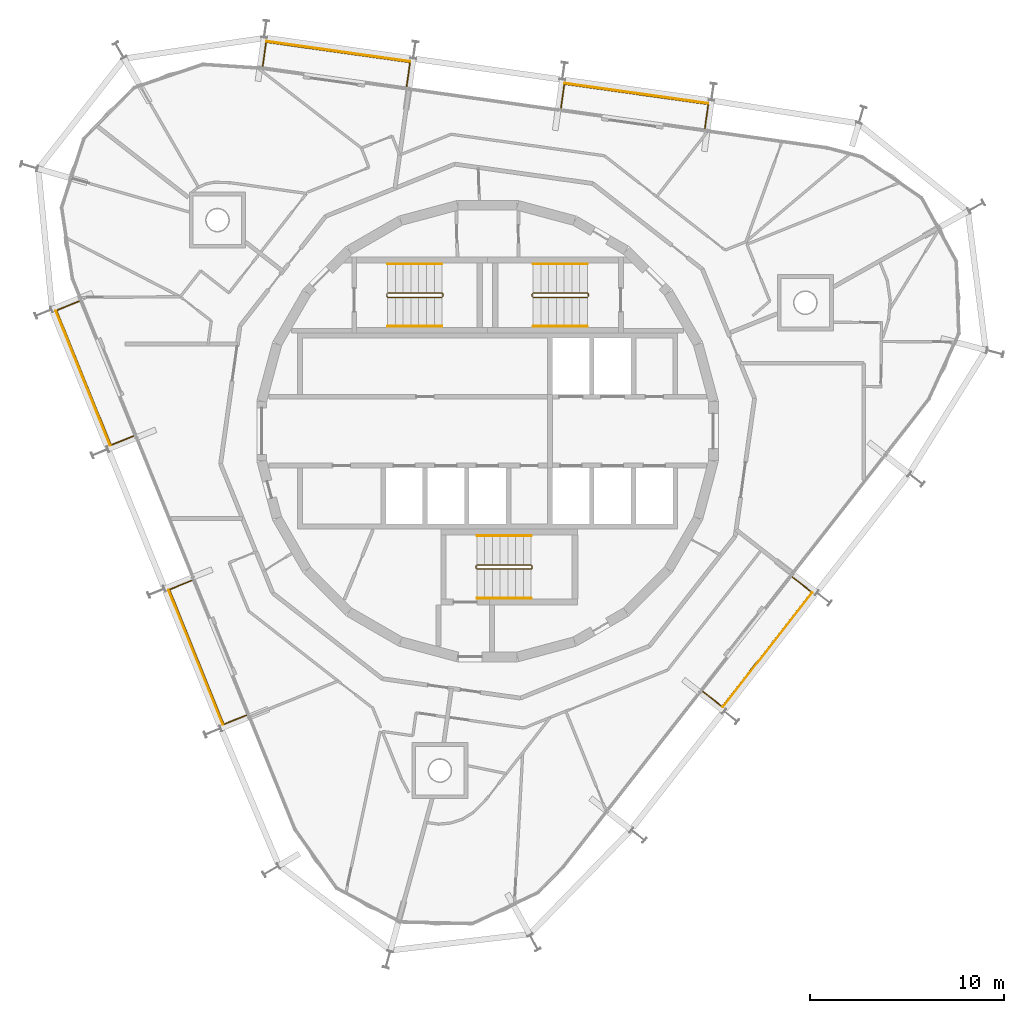
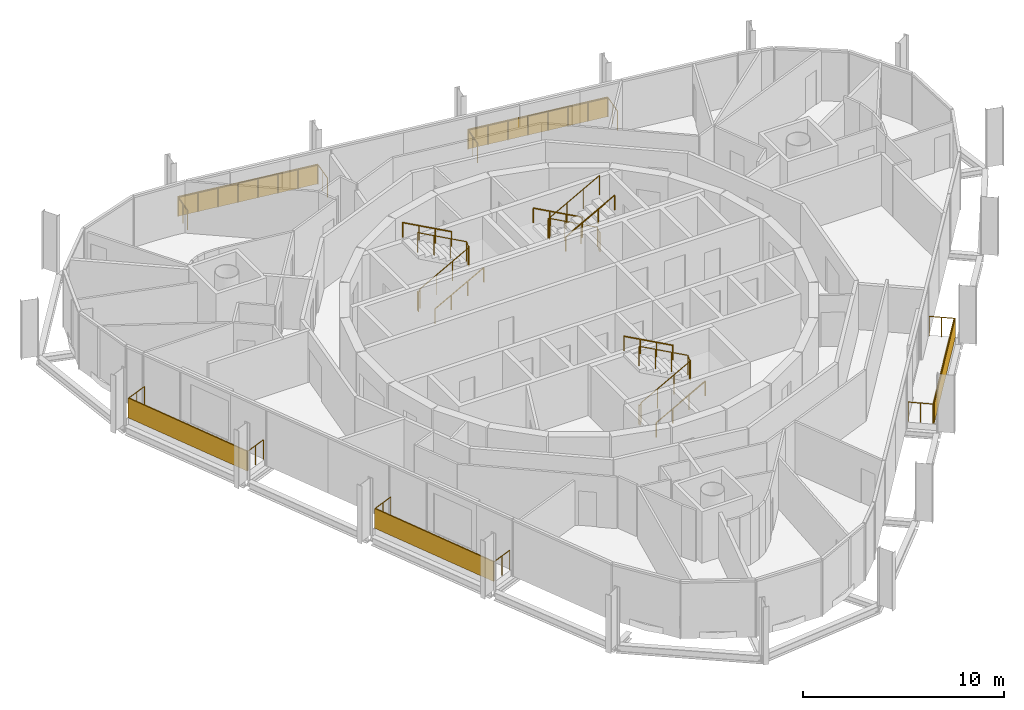
# One storey, part 15 of 15: 14 railings, 5 shading devices.
"""IFC4 building model written with IfcOpenShell, lengths in metres."""

import ifcopenshell
import ifcopenshell.guid

model = None  # the IFC model being written
_history = None  # IfcOwnerHistory: only IFC2X3 demands one
_inside = {}  # id of a spatial element -> (the spatial element, [elements in it])
_under = {}  # id of a project, library or spatial element -> (it, [spatial elements below it])
_declared = {}  # id of a project -> (the project, [libraries it declares])
_typed = {}  # id of a type object -> (the type object, [elements of that type])
_made_of = {}  # id of a material, layer set ... -> (it, [elements and type objects made of it])


def new_model(schema):
    """Start an empty IFC model of exactly this schema.

    Asked for "IFC4X3", IfcOpenShell would pick the latest addendum, in which some entities
    have other attributes; the version numbers below select the first issue.
    IFC2X3 requires an IfcOwnerHistory on every rooted entity: one is made here for all.
    """
    global model, _history
    if schema == "IFC4X3":
        model = ifcopenshell.file(schema_version=(4, 3, 0, 0))
    else:
        model = ifcopenshell.file(schema=schema)
    _inside.clear()
    _under.clear()
    _declared.clear()
    _typed.clear()
    _made_of.clear()
    _history = None
    if model.schema == "IFC2X3":
        org = make("IfcOrganization", Name="unknown")
        user = make(
            "IfcPersonAndOrganization",
            ThePerson=make("IfcPerson", FamilyName="unknown"),
            TheOrganization=org,
        )
        app = make(
            "IfcApplication",
            ApplicationDeveloper=org,
            Version="unknown",
            ApplicationFullName="unknown",
            ApplicationIdentifier="unknown",
        )
        _history = make(
            "IfcOwnerHistory",
            OwningUser=user,
            OwningApplication=app,
            ChangeAction="ADDED",
            CreationDate=0,
        )
    return model


def make(cls, **values):
    """One entity of the class cls with the attributes given. An attribute that is None is left unset."""
    return model.create_entity(
        cls, **{name: value for name, value in values.items() if value is not None}
    )


def rooted(cls, **values):
    """An entity with a GlobalId (a new one), such as an element, a storey or a relation."""
    return make(cls, GlobalId=ifcopenshell.guid.new(), OwnerHistory=_history, **values)


def si_unit(unit_type, name, prefix=None):
    """IfcSIUnit, for example si_unit("LENGTHUNIT", "METRE", prefix="MILLI")."""
    return make("IfcSIUnit", UnitType=unit_type, Prefix=prefix, Name=name)


def assignment(units):
    """IfcUnitAssignment: the units of a project."""
    return None if units is None else make("IfcUnitAssignment", Units=units)


def point(xyz):
    """IfcCartesianPoint."""
    return None if xyz is None else make("IfcCartesianPoint", Coordinates=xyz)


def direction(xyz):
    """IfcDirection."""
    return None if xyz is None else make("IfcDirection", DirectionRatios=xyz)


def frame(location, z_axis=None, x_axis=None):
    """IfcAxis2Placement3D, a coordinate frame: its origin and axes. An axis left out is left unset."""
    return make(
        "IfcAxis2Placement3D",
        Location=point(location),
        Axis=direction(z_axis),
        RefDirection=direction(x_axis),
    )


def frame_2d(location, x_axis=None):
    """IfcAxis2Placement2D, a coordinate frame in the plane: its origin and x axis."""
    return make(
        "IfcAxis2Placement2D", Location=point(location), RefDirection=direction(x_axis)
    )


def origin():
    """The frame at (0, 0, 0) with its axes left unset."""
    return frame((0.0, 0.0, 0.0))


def origin_2d():
    """The frame at (0, 0) in the plane with its x axis left unset."""
    return frame_2d((0.0, 0.0))


def place(relative_to, where):
    """IfcLocalPlacement: puts the frame where relative to a parent placement (None: the world)."""
    return make(
        "IfcLocalPlacement", PlacementRelTo=relative_to, RelativePlacement=where
    )


def context(
    kind, dimensions, precision=None, world=None, true_north=None, identifier=None
):
    """IfcGeometricRepresentationContext, for example the 3D "Model" context."""
    return make(
        "IfcGeometricRepresentationContext",
        ContextIdentifier=identifier,
        ContextType=kind,
        CoordinateSpaceDimension=dimensions,
        Precision=precision,
        WorldCoordinateSystem=world,
        TrueNorth=true_north,
    )


def subcontext(parent, identifier, kind, view, scale=None):
    """IfcGeometricRepresentationSubContext, for example "Body" below "Model"."""
    return make(
        "IfcGeometricRepresentationSubContext",
        ContextIdentifier=identifier,
        ContextType=kind,
        ParentContext=parent,
        TargetScale=scale,
        TargetView=view,
    )


def project(units=None, contexts=None):
    """IfcProject with its units and contexts."""
    return rooted(
        "IfcProject",
        Name="project",
        RepresentationContexts=contexts,
        UnitsInContext=assignment(units),
    )


def spatial(cls, under=None, at=None, **own):
    """A site, building, storey or space (cls), placed at a placement, below another one or the project."""
    s = rooted(cls, ObjectPlacement=at, **own)
    if under is not None:
        _under.setdefault(under.id(), (under, []))[1].append(s)
    return s


def profile(cls, at=None, kind="AREA", **sizes):
    """A parametric profile (cls). Its sizes go by their IFC names, for example OverallWidth=200.0."""
    return make(cls, ProfileType=kind, Position=at, **sizes)


def rectangle(**sizes):
    """IfcRectangleProfileDef."""
    return profile("IfcRectangleProfileDef", **sizes)


def circle(**sizes):
    """IfcCircleProfileDef."""
    return profile("IfcCircleProfileDef", **sizes)


def extrude(swept, where, along, depth):
    """IfcExtrudedAreaSolid: the profile swept, set in the frame where, extruded along a direction by depth."""
    return make(
        "IfcExtrudedAreaSolid",
        SweptArea=swept,
        Position=where,
        ExtrudedDirection=direction(along),
        Depth=depth,
    )


def shape(context_of_items, identifier, shape_type, items):
    """IfcShapeRepresentation: the items that make up one representation, for example the "Body"."""
    return make(
        "IfcShapeRepresentation",
        ContextOfItems=context_of_items,
        RepresentationIdentifier=identifier,
        RepresentationType=shape_type,
        Items=items,
    )


def material(Name=None, Category=None):
    """IfcMaterial."""
    return make("IfcMaterial", Name=Name, Category=Category)


def layer(
    of_material, thickness, ventilated=None, Name=None, Category=None, Priority=None
):
    """IfcMaterialLayer: one layer of a wall or slab, of a material (None: an air gap)."""
    return make(
        "IfcMaterialLayer",
        Material=of_material,
        LayerThickness=thickness,
        IsVentilated=ventilated,
        Name=Name,
        Category=Category,
        Priority=Priority,
    )


def layer_set(layers, Name=None):
    """IfcMaterialLayerSet."""
    return make("IfcMaterialLayerSet", MaterialLayers=layers, LayerSetName=Name)


def made_of(thing, what):
    """Note that an element or type object is made of a material, layer set ...; save() writes the relation."""
    if what is not None:
        _made_of.setdefault(what.id(), (what, []))[1].append(thing)
    return thing


def type_object(cls, material=None, **own):
    """A type object (cls), such as IfcWallType, which elements share."""
    return made_of(rooted(cls, **own), material)


def element(
    cls,
    number,
    at=None,
    inside=None,
    cuts=None,
    type_object=None,
    material=None,
    context=None,
    identifier="Body",
    shape_type=None,
    held_by="IfcProductDefinitionShape",
    body=None,
    shapes=None,
    **own,
):
    """One element of the class cls, such as IfcWall. Its Tag is "e" and its number.

    at: its placement. inside: the storey or other place that contains it. cuts: it is an
    opening in that element (IfcRelVoidsElement). A single representation is given by context,
    identifier, shape_type and body (its items); several are given by shapes. held_by: the class
    of the entity that holds the representations. save() writes the other relations.
    """
    e = rooted(cls, Tag="e%d" % number, ObjectPlacement=at, **own)
    if body is not None:
        shapes = [shape(context, identifier, shape_type, body)]
    if shapes is not None:
        e.Representation = make(held_by, Representations=shapes)
    if inside is not None:
        _inside.setdefault(inside.id(), (inside, []))[1].append(e)
    if cuts is not None:
        rooted(
            "IfcRelVoidsElement", RelatingBuildingElement=cuts, RelatedOpeningElement=e
        )
    if type_object is not None:
        _typed.setdefault(type_object.id(), (type_object, []))[1].append(e)
    return made_of(e, material)


def aggregate(whole, parts):
    """IfcRelAggregates: a whole, such as a stair, and the parts it consists of."""
    return rooted("IfcRelAggregates", RelatingObject=whole, RelatedObjects=parts)


def save(model, path):
    """Write the relations noted so far, then the file.

    IfcRelAggregates (storeys below a building ...), IfcRelContainedInSpatialStructure (elements
    in a storey), IfcRelDefinesByType, IfcRelAssociatesMaterial and IfcRelDeclares: one each for
    every whole, place, type object, material and project.
    """
    for whole, parts in _under.values():
        aggregate(whole, parts)
    for where, things in _inside.values():
        rooted(
            "IfcRelContainedInSpatialStructure",
            RelatedElements=things,
            RelatingStructure=where,
        )
    for kind, things in _typed.values():
        rooted("IfcRelDefinesByType", RelatedObjects=things, RelatingType=kind)
    for what, things in _made_of.values():
        rooted("IfcRelAssociatesMaterial", RelatedObjects=things, RelatingMaterial=what)
    for by, libraries in _declared.values():
        rooted("IfcRelDeclares", RelatingContext=by, RelatedDefinitions=libraries)
    model.write(path)


model = new_model("IFC4")

# Units and contexts
model_context = context("Model", 3, precision=1e-05, world=origin(), true_north=direction((0.0, 1.0)))
body_context = subcontext(model_context, "Body", "Model", "MODEL_VIEW")
ifc_project = project(units=[si_unit("LENGTHUNIT", "METRE"), si_unit("AREAUNIT", "SQUARE_METRE"), si_unit("VOLUMEUNIT", "CUBIC_METRE"), si_unit("PLANEANGLEUNIT", "RADIAN"), si_unit("MASSUNIT", "GRAM", prefix="KILO")], contexts=[model_context])

# Site, building, storey
site_placement = place(None, origin())
site = spatial("IfcSite", under=ifc_project, at=site_placement, CompositionType="ELEMENT")
building_placement = place(site_placement, origin())
building = spatial("IfcBuilding", under=site, at=building_placement, Name="Spindle Arch Residences", CompositionType="ELEMENT")
storey_placement = place(building_placement, frame((0.0, 0.0, 357.5)))
storey = spatial("IfcBuildingStorey", under=building, at=storey_placement, Name="L92", CompositionType="ELEMENT", Elevation=357.5)

# Railings
ifc_material_1 = material(Name="Bronze anodised aluminium guard with glass infill", Category="aluminium")
railing_type_1 = type_object("IfcRailingType", Name="Balcony guard 1200", PredefinedType="GUARDRAIL", material=ifc_material_1)
railing_1_placement = place(storey_placement, frame((11.2080078125, 15.62060546875, 0.0)))
element("IfcRailing", 1, at=railing_1_placement, inside=storey, type_object=railing_type_1, Name="Guard L92 bay 6", PredefinedType="GUARDRAIL", context=body_context, shape_type="SweptSolid", body=[
    extrude(circle(Radius=0.02392578125, at=origin_2d()), frame((0.0, 0.0, 1.17578125), z_axis=(0.139069280047, 0.99028265427, 0.0), x_axis=(-0.99028265427, 0.139069280047, 0.0)), (0.0, 0.0, 1.0), 1.25),
    extrude(circle(Radius=0.02392578125, at=origin_2d()), frame((0.173828125, 1.23779296875, 1.17578125), z_axis=(-0.990267453735, 0.139177476887, 0.0), x_axis=(-0.139177476887, -0.990267453735, 0.0)), (0.0, 0.0, 1.0), 7.49560546875),
    extrude(circle(Radius=0.02392578125, at=origin_2d()), frame((-7.248779296875, 2.281005859375, 1.17578125), z_axis=(-0.139260816682, -0.990255737139, 0.0), x_axis=(0.990255737139, -0.139260816682, 0.0)), (0.0, 0.0, 1.0), 1.25),
    extrude(circle(Radius=0.02099609375, at=origin_2d()), origin(), (0.0, 0.0, 1.0), 1.15185546875),
    extrude(circle(Radius=0.02099609375, at=origin_2d()), frame((0.0869140625, 0.618896484375, 0.0)), (0.0, 0.0, 1.0), 1.15185546875),
    extrude(circle(Radius=0.02099609375, at=origin_2d()), frame((0.173828125, 1.23779296875, 0.0)), (0.0, 0.0, 1.0), 1.15185546875),
    extrude(circle(Radius=0.02099609375, at=origin_2d()), frame((-0.886474609375, 1.38671875, 0.0)), (0.0, 0.0, 1.0), 1.15185546875),
    extrude(circle(Radius=0.02099609375, at=origin_2d()), frame((-1.947021484375, 1.535888671875, 0.0)), (0.0, 0.0, 1.0), 1.15185546875),
    extrude(circle(Radius=0.02099609375, at=origin_2d()), frame((-3.00732421875, 1.684814453125, 0.0)), (0.0, 0.0, 1.0), 1.15185546875),
    extrude(circle(Radius=0.02099609375, at=origin_2d()), frame((-4.067626953125, 1.833984375, 0.0)), (0.0, 0.0, 1.0), 1.15185546875),
    extrude(circle(Radius=0.02099609375, at=origin_2d()), frame((-5.1279296875, 1.98291015625, 0.0)), (0.0, 0.0, 1.0), 1.15185546875),
    extrude(circle(Radius=0.02099609375, at=origin_2d()), frame((-6.1884765625, 2.132080078125, 0.0)), (0.0, 0.0, 1.0), 1.15185546875),
    extrude(circle(Radius=0.02099609375, at=origin_2d()), frame((-7.248779296875, 2.281005859375, 0.0)), (0.0, 0.0, 1.0), 1.15185546875),
    extrude(circle(Radius=0.02099609375, at=origin_2d()), frame((-7.3359375, 1.662109375, 0.0)), (0.0, 0.0, 1.0), 1.15185546875),
    extrude(circle(Radius=0.02099609375, at=origin_2d()), frame((-7.4228515625, 1.043212890625, 0.0)), (0.0, 0.0, 1.0), 1.15185546875),
])
railing_2_placement = place(storey_placement, frame((-4.172119140625, 17.7822265625, 0.0)))
element("IfcRailing", 2, at=railing_2_placement, inside=storey, type_object=railing_type_1, Name="Guard L92 bay 8", PredefinedType="GUARDRAIL", context=body_context, shape_type="SweptSolid", body=[
    extrude(circle(Radius=0.02392578125, at=origin_2d()), frame((0.0, 0.0, 1.17578125), z_axis=(0.139260816682, 0.990255737139, 0.0), x_axis=(-0.990255737139, 0.139260816682, 0.0)), (0.0, 0.0, 1.0), 1.25),
    extrude(circle(Radius=0.02392578125, at=origin_2d()), frame((0.174072265625, 1.23779296875, 1.17578125), z_axis=(-0.990268084624, 0.139172987949, 0.0), x_axis=(-0.139172987949, -0.990268084624, 0.0)), (0.0, 0.0, 1.0), 7.495849609375),
    extrude(circle(Radius=0.02392578125, at=origin_2d()), frame((-7.248779296875, 2.281005859375, 1.17578125), z_axis=(-0.13904238586, -0.990286430753, 0.0), x_axis=(0.990286430753, -0.13904238586, 0.0)), (0.0, 0.0, 1.0), 1.250244140625),
    extrude(circle(Radius=0.02099609375, at=origin_2d()), origin(), (0.0, 0.0, 1.0), 1.15185546875),
    extrude(circle(Radius=0.02099609375, at=origin_2d()), frame((0.0869140625, 0.618896484375, 0.0)), (0.0, 0.0, 1.0), 1.15185546875),
    extrude(circle(Radius=0.02099609375, at=origin_2d()), frame((0.174072265625, 1.23779296875, 0.0)), (0.0, 0.0, 1.0), 1.15185546875),
    extrude(circle(Radius=0.02099609375, at=origin_2d()), frame((-0.88623046875, 1.38671875, 0.0)), (0.0, 0.0, 1.0), 1.15185546875),
    extrude(circle(Radius=0.02099609375, at=origin_2d()), frame((-1.94677734375, 1.535888671875, 0.0)), (0.0, 0.0, 1.0), 1.15185546875),
    extrude(circle(Radius=0.02099609375, at=origin_2d()), frame((-3.007080078125, 1.684814453125, 0.0)), (0.0, 0.0, 1.0), 1.15185546875),
    extrude(circle(Radius=0.02099609375, at=origin_2d()), frame((-4.067626953125, 1.833984375, 0.0)), (0.0, 0.0, 1.0), 1.15185546875),
    extrude(circle(Radius=0.02099609375, at=origin_2d()), frame((-5.1279296875, 1.98291015625, 0.0)), (0.0, 0.0, 1.0), 1.15185546875),
    extrude(circle(Radius=0.02099609375, at=origin_2d()), frame((-6.1884765625, 2.132080078125, 0.0)), (0.0, 0.0, 1.0), 1.15185546875),
    extrude(circle(Radius=0.02099609375, at=origin_2d()), frame((-7.248779296875, 2.281005859375, 0.0)), (0.0, 0.0, 1.0), 1.15185546875),
    extrude(circle(Radius=0.02099609375, at=origin_2d()), frame((-7.335693359375, 1.662109375, 0.0)), (0.0, 0.0, 1.0), 1.15185546875),
    extrude(circle(Radius=0.02099609375, at=origin_2d()), frame((-7.422607421875, 1.04296875, 0.0)), (0.0, 0.0, 1.0), 1.15185546875),
])
railing_3_placement = place(storey_placement, frame((-21.071044921875, 6.696044921875, 0.0)))
element("IfcRailing", 3, at=railing_3_placement, inside=storey, type_object=railing_type_1, Name="Guard L92 bay 12", PredefinedType="GUARDRAIL", context=body_context, shape_type="SweptSolid", body=[
    extrude(circle(Radius=0.02392578125, at=origin_2d()), frame((0.0, 0.0, 1.17578125), z_axis=(-0.927205321856, -0.374553455627, 0.0), x_axis=(0.374553455627, -0.927205321856, 0.0)), (0.0, 0.0, 1.0), 1.250244140625),
    extrude(circle(Radius=0.02392578125, at=origin_2d()), frame((-1.1591796875, -0.46826171875, 1.17578125), z_axis=(0.374634298501, -0.927172660504, 0.0), x_axis=(0.927172660504, 0.374634298501, 0.0)), (0.0, 0.0, 1.0), 7.49560546875),
    extrude(circle(Radius=0.02392578125, at=origin_2d()), frame((1.64892578125, -7.41796875, 1.17578125), z_axis=(0.927177918056, 0.374621286461, 0.0), x_axis=(-0.374621286461, 0.927177918056, 0.0)), (0.0, 0.0, 1.0), 1.25),
    extrude(circle(Radius=0.02099609375, at=origin_2d()), origin(), (0.0, 0.0, 1.0), 1.15185546875),
    extrude(circle(Radius=0.02099609375, at=origin_2d()), frame((-0.57958984375, -0.234130859375, 0.0)), (0.0, 0.0, 1.0), 1.15185546875),
    extrude(circle(Radius=0.02099609375, at=origin_2d()), frame((-1.1591796875, -0.46826171875, 0.0)), (0.0, 0.0, 1.0), 1.15185546875),
    extrude(circle(Radius=0.02099609375, at=origin_2d()), frame((-0.758056640625, -1.461181640625, 0.0)), (0.0, 0.0, 1.0), 1.15185546875),
    extrude(circle(Radius=0.02099609375, at=origin_2d()), frame((-0.35693359375, -2.453857421875, 0.0)), (0.0, 0.0, 1.0), 1.15185546875),
    extrude(circle(Radius=0.02099609375, at=origin_2d()), frame((0.044189453125, -3.44677734375, 0.0)), (0.0, 0.0, 1.0), 1.15185546875),
    extrude(circle(Radius=0.02099609375, at=origin_2d()), frame((0.445556640625, -4.439453125, 0.0)), (0.0, 0.0, 1.0), 1.15185546875),
    extrude(circle(Radius=0.02099609375, at=origin_2d()), frame((0.8466796875, -5.432373046875, 0.0)), (0.0, 0.0, 1.0), 1.15185546875),
    extrude(circle(Radius=0.02099609375, at=origin_2d()), frame((1.247802734375, -6.425048828125, 0.0)), (0.0, 0.0, 1.0), 1.15185546875),
    extrude(circle(Radius=0.02099609375, at=origin_2d()), frame((1.64892578125, -7.41796875, 0.0)), (0.0, 0.0, 1.0), 1.15185546875),
    extrude(circle(Radius=0.02099609375, at=origin_2d()), frame((2.228515625, -7.183837890625, 0.0)), (0.0, 0.0, 1.0), 1.15185546875),
    extrude(circle(Radius=0.02099609375, at=origin_2d()), frame((2.807861328125, -6.94970703125, 0.0)), (0.0, 0.0, 1.0), 1.15185546875),
])
railing_4_placement = place(storey_placement, frame((-15.253173828125, -7.7041015625, 0.0)))
element("IfcRailing", 4, at=railing_4_placement, inside=storey, type_object=railing_type_1, Name="Guard L92 bay 14", PredefinedType="GUARDRAIL", context=body_context, shape_type="SweptSolid", body=[
    extrude(circle(Radius=0.02392578125, at=origin_2d()), frame((0.0, 0.0, 1.17578125), z_axis=(-0.927177918056, -0.374621286461, 0.0), x_axis=(0.374621286461, -0.927177918056, 0.0)), (0.0, 0.0, 1.0), 1.25),
    extrude(circle(Radius=0.02392578125, at=origin_2d()), frame((-1.158935546875, -0.46826171875, 1.17578125), z_axis=(0.374594985402, -0.927188544424, 0.0), x_axis=(0.927188544424, 0.374594985402, 0.0)), (0.0, 0.0, 1.0), 7.49560546875),
    extrude(circle(Radius=0.02392578125, at=origin_2d()), frame((1.64892578125, -7.418212890625, 1.17578125), z_axis=(0.927205321856, 0.374553455627, 0.0), x_axis=(-0.374553455627, 0.927205321856, 0.0)), (0.0, 0.0, 1.0), 1.250244140625),
    extrude(circle(Radius=0.02099609375, at=origin_2d()), origin(), (0.0, 0.0, 1.0), 1.15185546875),
    extrude(circle(Radius=0.02099609375, at=origin_2d()), frame((-0.57958984375, -0.234130859375, 0.0)), (0.0, 0.0, 1.0), 1.15185546875),
    extrude(circle(Radius=0.02099609375, at=origin_2d()), frame((-1.158935546875, -0.46826171875, 0.0)), (0.0, 0.0, 1.0), 1.15185546875),
    extrude(circle(Radius=0.02099609375, at=origin_2d()), frame((-0.7578125, -1.461181640625, 0.0)), (0.0, 0.0, 1.0), 1.15185546875),
    extrude(circle(Radius=0.02099609375, at=origin_2d()), frame((-0.356689453125, -2.453857421875, 0.0)), (0.0, 0.0, 1.0), 1.15185546875),
    extrude(circle(Radius=0.02099609375, at=origin_2d()), frame((0.04443359375, -3.44677734375, 0.0)), (0.0, 0.0, 1.0), 1.15185546875),
    extrude(circle(Radius=0.02099609375, at=origin_2d()), frame((0.445556640625, -4.439697265625, 0.0)), (0.0, 0.0, 1.0), 1.15185546875),
    extrude(circle(Radius=0.02099609375, at=origin_2d()), frame((0.8466796875, -5.4326171875, 0.0)), (0.0, 0.0, 1.0), 1.15185546875),
    extrude(circle(Radius=0.02099609375, at=origin_2d()), frame((1.247802734375, -6.42529296875, 0.0)), (0.0, 0.0, 1.0), 1.15185546875),
    extrude(circle(Radius=0.02099609375, at=origin_2d()), frame((1.64892578125, -7.418212890625, 0.0)), (0.0, 0.0, 1.0), 1.15185546875),
    extrude(circle(Radius=0.02099609375, at=origin_2d()), frame((2.228515625, -7.18408203125, 0.0)), (0.0, 0.0, 1.0), 1.15185546875),
    extrude(circle(Radius=0.02099609375, at=origin_2d()), frame((2.80810546875, -6.949951171875, 0.0)), (0.0, 0.0, 1.0), 1.15185546875),
])
railing_5_placement = place(storey_placement, frame((11.111328125, -13.43701171875, 0.0)))
element("IfcRailing", 5, at=railing_5_placement, inside=storey, type_object=railing_type_1, Name="Guard L92 bay 20", PredefinedType="GUARDRAIL", context=body_context, shape_type="SweptSolid", body=[
    extrude(circle(Radius=0.02392578125, at=origin_2d()), frame((0.0, 0.0, 1.17578125), z_axis=(0.787982912033, -0.615697109254, 0.0), x_axis=(0.615697109254, 0.787982912033, 0.0)), (0.0, 0.0, 1.0), 1.249755859375),
    extrude(circle(Radius=0.02392578125, at=origin_2d()), frame((0.98486328125, -0.76953125, 1.17578125), z_axis=(0.615668692597, 0.788005114803, 0.0), x_axis=(-0.788005114803, 0.615668692597, 0.0)), (0.0, 0.0, 1.0), 7.49560546875),
    extrude(circle(Radius=0.02392578125, at=origin_2d()), frame((5.599609375, 5.136962890625, 1.17578125), z_axis=(-0.788056943247, 0.61560235071, 0.0), x_axis=(-0.61560235071, -0.788056943247, 0.0)), (0.0, 0.0, 1.0), 1.25),
    extrude(circle(Radius=0.02099609375, at=origin_2d()), origin(), (0.0, 0.0, 1.0), 1.15185546875),
    extrude(circle(Radius=0.02099609375, at=origin_2d()), frame((0.492431640625, -0.384765625, 0.0)), (0.0, 0.0, 1.0), 1.15185546875),
    extrude(circle(Radius=0.02099609375, at=origin_2d()), frame((0.98486328125, -0.76953125, 0.0)), (0.0, 0.0, 1.0), 1.15185546875),
    extrude(circle(Radius=0.02099609375, at=origin_2d()), frame((1.64404296875, 0.07421875, 0.0)), (0.0, 0.0, 1.0), 1.15185546875),
    extrude(circle(Radius=0.02099609375, at=origin_2d()), frame((2.303466796875, 0.91796875, 0.0)), (0.0, 0.0, 1.0), 1.15185546875),
    extrude(circle(Radius=0.02099609375, at=origin_2d()), frame((2.962646484375, 1.76171875, 0.0)), (0.0, 0.0, 1.0), 1.15185546875),
    extrude(circle(Radius=0.02099609375, at=origin_2d()), frame((3.621826171875, 2.605712890625, 0.0)), (0.0, 0.0, 1.0), 1.15185546875),
    extrude(circle(Radius=0.02099609375, at=origin_2d()), frame((4.281005859375, 3.449462890625, 0.0)), (0.0, 0.0, 1.0), 1.15185546875),
    extrude(circle(Radius=0.02099609375, at=origin_2d()), frame((4.9404296875, 4.293212890625, 0.0)), (0.0, 0.0, 1.0), 1.15185546875),
    extrude(circle(Radius=0.02099609375, at=origin_2d()), frame((5.599609375, 5.136962890625, 0.0)), (0.0, 0.0, 1.0), 1.15185546875),
    extrude(circle(Radius=0.02099609375, at=origin_2d()), frame((5.10693359375, 5.521728515625, 0.0)), (0.0, 0.0, 1.0), 1.15185546875),
    extrude(circle(Radius=0.02099609375, at=origin_2d()), frame((4.614501953125, 5.906494140625, 0.0)), (0.0, 0.0, 1.0), 1.15185546875),
])

# Shading devices
ifc_material_2 = material(Name="Bronze perforated cobogo screen")
ifc_layer = layer(ifc_material_2, 0.0390625)
ifc_layer_set = layer_set([ifc_layer], Name="Cobogo screen 1200")
shading_device_type = type_object("IfcShadingDeviceType", Name="Cobogo screen 1200", PredefinedType="USERDEFINED", material=ifc_layer_set)
for number, where, z_axis, x_axis, name in (
    (6, (7.67626953125, 17.420166015625, 0.0), (0.0, 0.0, 1.0), (-0.990268068742, 0.13917310096, 0.0), "Cobogo screen L92 bay 6"),
    (7, (-7.703857421875, 19.58154296875, 0.0), (0.0, 0.0, 1.0), (-0.990268068742, 0.13917310096, 0.0), "Cobogo screen L92 bay 8"),
    (8, (-20.86376953125, 2.73779296875, 0.0), (0.0, 0.0, 1.0), (0.374606593416, -0.927183854567, 0.0), "Cobogo screen L92 bay 12"),
    (9, (-15.045654296875, -11.662353515625, 0.0), (0.0, 0.0, 1.0), (0.374606593416, -0.927183854567, 0.0), "Cobogo screen L92 bay 14"),
    (10, (14.435546875, -11.2783203125, 0.0), (0.0, 0.0, 1.0), (0.615661475326, 0.788010753607, 0.0), "Cobogo screen L92 bay 20"),
):
    element("IfcShadingDevice", number, at=place(storey_placement, frame(where, z_axis=z_axis, x_axis=x_axis)), inside=storey, type_object=shading_device_type, Name=name, ObjectType="SCREEN", PredefinedType="USERDEFINED", context=body_context, shape_type="SweptSolid", body=[
        extrude(rectangle(XDim=7.49560546875, YDim=0.0390625, at=origin_2d()), origin(), (0.0, 0.0, 1.0), 1.199951171875),
    ])

# Railings
ifc_material_3 = material(Name="Steel, painted", Category="steel")
railing_type_2 = type_object("IfcRailingType", Name="Stair guard 1100", PredefinedType="GUARDRAIL", material=ifc_material_3)
railing_6_placement = place(storey_placement, frame((5.14990234375, 6.89990234375, 3.5)))
element("IfcRailing", 11, at=railing_6_placement, inside=storey, type_object=railing_type_2, Name="L92 ST1 stair guard 1", PredefinedType="GUARDRAIL", context=body_context, shape_type="SweptSolid", body=[
    extrude(circle(Radius=0.02392578125, at=origin_2d()), frame((0.0, 0.0, 1.17578125), z_axis=(-0.877357048833, 0.0, -0.479838106931), x_axis=(0.0, -1.0, 0.0)), (0.0, 0.0, 1.0), 3.191162109375),
    extrude(circle(Radius=0.02392578125, at=origin_2d()), frame((-2.7998046875, 0.0, -0.35546875), z_axis=(-0.217683172539, 0.217683172539, -0.951434744366), x_axis=(-0.707106781187, -0.707106781187, 0.0)), (0.0, 0.0, 1.0), 0.22998046875),
    extrude(circle(Radius=0.02392578125, at=origin_2d()), frame((-2.849853515625, 0.050048828125, -0.57421875), z_axis=(0.0, 1.0, 0.0), x_axis=(-1.0, 0.0, 0.0)), (0.0, 0.0, 1.0), 0.1201171875),
    extrude(circle(Radius=0.02392578125, at=origin_2d()), frame((-2.849853515625, 0.170166015625, -0.57421875), z_axis=(0.707106781187, 0.707106781187, 0.0), x_axis=(-0.707106781187, 0.707106781187, 0.0)), (0.0, 0.0, 1.0), 0.07080078125),
    extrude(circle(Radius=0.02392578125, at=origin_2d()), frame((-2.7998046875, 0.22021484375, -0.57421875), z_axis=(0.877357048833, 0.0, -0.479838106931), x_axis=(0.0, 1.0, 0.0)), (0.0, 0.0, 1.0), 3.191162109375),
    extrude(circle(Radius=0.02392578125, at=origin_2d()), frame((0.0, 0.22021484375, -2.10546875), z_axis=(0.217683172539, -0.217683172539, -0.951434744366), x_axis=(0.707106781187, 0.707106781187, 0.0)), (0.0, 0.0, 1.0), 0.22998046875),
    extrude(circle(Radius=0.02392578125, at=origin_2d()), frame((0.050048828125, 0.170166015625, -2.32421875), z_axis=(0.0, -1.0, 0.0), x_axis=(1.0, 0.0, 0.0)), (0.0, 0.0, 1.0), 0.1201171875),
    extrude(circle(Radius=0.02099609375, at=origin_2d()), origin(), (0.0, 0.0, 1.0), 1.15185546875),
    extrude(circle(Radius=0.02099609375, at=origin_2d()), frame((-0.933349609375, 0.0, -0.510498046875)), (0.0, 0.0, 1.0), 1.15185546875),
    extrude(circle(Radius=0.02099609375, at=origin_2d()), frame((-1.866455078125, 0.0, -1.020751953125)), (0.0, 0.0, 1.0), 1.15185546875),
    extrude(circle(Radius=0.02099609375, at=origin_2d()), frame((-2.7998046875, 0.0, -1.53125)), (0.0, 0.0, 1.0), 1.15185546875),
    extrude(circle(Radius=0.02099609375, at=origin_2d()), frame((-2.849853515625, 0.050048828125, -1.75)), (0.0, 0.0, 1.0), 1.15185546875),
    extrude(circle(Radius=0.02099609375, at=origin_2d()), frame((-2.849853515625, 0.170166015625, -1.75)), (0.0, 0.0, 1.0), 1.15185546875),
    extrude(circle(Radius=0.02099609375, at=origin_2d()), frame((-2.7998046875, 0.22021484375, -1.75)), (0.0, 0.0, 1.0), 1.15185546875),
    extrude(circle(Radius=0.02099609375, at=origin_2d()), frame((-1.866455078125, 0.22021484375, -2.260498046875)), (0.0, 0.0, 1.0), 1.15185546875),
    extrude(circle(Radius=0.02099609375, at=origin_2d()), frame((-0.933349609375, 0.22021484375, -2.770751953125)), (0.0, 0.0, 1.0), 1.15185546875),
    extrude(circle(Radius=0.02099609375, at=origin_2d()), frame((0.0, 0.22021484375, -3.28125)), (0.0, 0.0, 1.0), 1.15185546875),
    extrude(circle(Radius=0.02099609375, at=origin_2d()), frame((0.050048828125, 0.170166015625, -3.5)), (0.0, 0.0, 1.0), 1.15185546875),
    extrude(circle(Radius=0.02099609375, at=origin_2d()), frame((0.050048828125, 0.050048828125, -3.5)), (0.0, 0.0, 1.0), 1.15185546875),
])
railing_7_placement = place(storey_placement, frame((-5.14990234375, 7.1201171875, 3.5)))
element("IfcRailing", 12, at=railing_7_placement, inside=storey, type_object=railing_type_2, Name="L92 ST2 stair guard 1", PredefinedType="GUARDRAIL", context=body_context, shape_type="SweptSolid", body=[
    extrude(circle(Radius=0.02392578125, at=origin_2d()), frame((0.0, 0.0, 1.17578125), z_axis=(0.877357048833, 0.0, -0.479838106931), x_axis=(0.0, 1.0, 0.0)), (0.0, 0.0, 1.0), 3.191162109375),
    extrude(circle(Radius=0.02392578125, at=origin_2d()), frame((2.7998046875, 0.0, -0.35546875), z_axis=(0.217683172539, -0.217683172539, -0.951434744366), x_axis=(0.707106781187, 0.707106781187, 0.0)), (0.0, 0.0, 1.0), 0.22998046875),
    extrude(circle(Radius=0.02392578125, at=origin_2d()), frame((2.849853515625, -0.050048828125, -0.57421875), z_axis=(0.0, -1.0, 0.0), x_axis=(1.0, 0.0, 0.0)), (0.0, 0.0, 1.0), 0.1201171875),
    extrude(circle(Radius=0.02392578125, at=origin_2d()), frame((2.849853515625, -0.170166015625, -0.57421875), z_axis=(-0.707106781187, -0.707106781187, 0.0), x_axis=(0.707106781187, -0.707106781187, 0.0)), (0.0, 0.0, 1.0), 0.07080078125),
    extrude(circle(Radius=0.02392578125, at=origin_2d()), frame((2.7998046875, -0.22021484375, -0.57421875), z_axis=(-0.877357048833, 0.0, -0.479838106931), x_axis=(0.0, -1.0, 0.0)), (0.0, 0.0, 1.0), 3.191162109375),
    extrude(circle(Radius=0.02392578125, at=origin_2d()), frame((0.0, -0.22021484375, -2.10546875), z_axis=(-0.217683172539, 0.217683172539, -0.951434744366), x_axis=(-0.707106781187, -0.707106781187, 0.0)), (0.0, 0.0, 1.0), 0.22998046875),
    extrude(circle(Radius=0.02392578125, at=origin_2d()), frame((-0.050048828125, -0.170166015625, -2.32421875), z_axis=(0.0, 1.0, 0.0), x_axis=(-1.0, 0.0, 0.0)), (0.0, 0.0, 1.0), 0.1201171875),
    extrude(circle(Radius=0.02099609375, at=origin_2d()), origin(), (0.0, 0.0, 1.0), 1.15185546875),
    extrude(circle(Radius=0.02099609375, at=origin_2d()), frame((0.933349609375, 0.0, -0.510498046875)), (0.0, 0.0, 1.0), 1.15185546875),
    extrude(circle(Radius=0.02099609375, at=origin_2d()), frame((1.866455078125, 0.0, -1.020751953125)), (0.0, 0.0, 1.0), 1.15185546875),
    extrude(circle(Radius=0.02099609375, at=origin_2d()), frame((2.7998046875, 0.0, -1.53125)), (0.0, 0.0, 1.0), 1.15185546875),
    extrude(circle(Radius=0.02099609375, at=origin_2d()), frame((2.849853515625, -0.050048828125, -1.75)), (0.0, 0.0, 1.0), 1.15185546875),
    extrude(circle(Radius=0.02099609375, at=origin_2d()), frame((2.849853515625, -0.170166015625, -1.75)), (0.0, 0.0, 1.0), 1.15185546875),
    extrude(circle(Radius=0.02099609375, at=origin_2d()), frame((2.7998046875, -0.22021484375, -1.75)), (0.0, 0.0, 1.0), 1.15185546875),
    extrude(circle(Radius=0.02099609375, at=origin_2d()), frame((1.866455078125, -0.22021484375, -2.260498046875)), (0.0, 0.0, 1.0), 1.15185546875),
    extrude(circle(Radius=0.02099609375, at=origin_2d()), frame((0.933349609375, -0.22021484375, -2.770751953125)), (0.0, 0.0, 1.0), 1.15185546875),
    extrude(circle(Radius=0.02099609375, at=origin_2d()), frame((0.0, -0.22021484375, -3.28125)), (0.0, 0.0, 1.0), 1.15185546875),
    extrude(circle(Radius=0.02099609375, at=origin_2d()), frame((-0.050048828125, -0.170166015625, -3.5)), (0.0, 0.0, 1.0), 1.15185546875),
    extrude(circle(Radius=0.02099609375, at=origin_2d()), frame((-0.050048828125, -0.050048828125, -3.5)), (0.0, 0.0, 1.0), 1.15185546875),
])
railing_8_placement = place(storey_placement, frame((-0.550048828125, -6.89990234375, 3.5)))
element("IfcRailing", 13, at=railing_8_placement, inside=storey, type_object=railing_type_2, Name="L92 ST3 stair guard 1", PredefinedType="GUARDRAIL", context=body_context, shape_type="SweptSolid", body=[
    extrude(circle(Radius=0.02392578125, at=origin_2d()), frame((0.0, 0.0, 1.17578125), z_axis=(0.877374661878, 0.0, -0.479805901063), x_axis=(0.0, 1.0, 0.0)), (0.0, 0.0, 1.0), 3.19140625),
    extrude(circle(Radius=0.02392578125, at=origin_2d()), frame((2.800048828125, 0.0, -0.35546875), z_axis=(0.217683172539, -0.217683172539, -0.951434744366), x_axis=(0.707106781187, 0.707106781187, 0.0)), (0.0, 0.0, 1.0), 0.22998046875),
    extrude(circle(Radius=0.02392578125, at=origin_2d()), frame((2.85009765625, -0.050048828125, -0.57421875), z_axis=(0.0, -1.0, 0.0), x_axis=(1.0, 0.0, 0.0)), (0.0, 0.0, 1.0), 0.1201171875),
    extrude(circle(Radius=0.02392578125, at=origin_2d()), frame((2.85009765625, -0.170166015625, -0.57421875), z_axis=(-0.707106781187, -0.707106781187, 0.0), x_axis=(0.707106781187, -0.707106781187, 0.0)), (0.0, 0.0, 1.0), 0.07080078125),
    extrude(circle(Radius=0.02392578125, at=origin_2d()), frame((2.800048828125, -0.22021484375, -0.57421875), z_axis=(-0.877374661878, 0.0, -0.479805901063), x_axis=(0.0, -1.0, 0.0)), (0.0, 0.0, 1.0), 3.19140625),
    extrude(circle(Radius=0.02392578125, at=origin_2d()), frame((0.0, -0.22021484375, -2.10546875), z_axis=(-0.217683172539, 0.217683172539, -0.951434744366), x_axis=(-0.707106781187, -0.707106781187, 0.0)), (0.0, 0.0, 1.0), 0.22998046875),
    extrude(circle(Radius=0.02392578125, at=origin_2d()), frame((-0.050048828125, -0.170166015625, -2.32421875), z_axis=(0.0, 1.0, 0.0), x_axis=(-1.0, 0.0, 0.0)), (0.0, 0.0, 1.0), 0.1201171875),
    extrude(circle(Radius=0.02099609375, at=origin_2d()), origin(), (0.0, 0.0, 1.0), 1.15185546875),
    extrude(circle(Radius=0.02099609375, at=origin_2d()), frame((0.933349609375, 0.0, -0.510498046875)), (0.0, 0.0, 1.0), 1.15185546875),
    extrude(circle(Radius=0.02099609375, at=origin_2d()), frame((1.86669921875, 0.0, -1.020751953125)), (0.0, 0.0, 1.0), 1.15185546875),
    extrude(circle(Radius=0.02099609375, at=origin_2d()), frame((2.800048828125, 0.0, -1.53125)), (0.0, 0.0, 1.0), 1.15185546875),
    extrude(circle(Radius=0.02099609375, at=origin_2d()), frame((2.85009765625, -0.050048828125, -1.75)), (0.0, 0.0, 1.0), 1.15185546875),
    extrude(circle(Radius=0.02099609375, at=origin_2d()), frame((2.85009765625, -0.170166015625, -1.75)), (0.0, 0.0, 1.0), 1.15185546875),
    extrude(circle(Radius=0.02099609375, at=origin_2d()), frame((2.800048828125, -0.22021484375, -1.75)), (0.0, 0.0, 1.0), 1.15185546875),
    extrude(circle(Radius=0.02099609375, at=origin_2d()), frame((1.86669921875, -0.22021484375, -2.260498046875)), (0.0, 0.0, 1.0), 1.15185546875),
    extrude(circle(Radius=0.02099609375, at=origin_2d()), frame((0.933349609375, -0.22021484375, -2.770751953125)), (0.0, 0.0, 1.0), 1.15185546875),
    extrude(circle(Radius=0.02099609375, at=origin_2d()), frame((0.0, -0.22021484375, -3.28125)), (0.0, 0.0, 1.0), 1.15185546875),
    extrude(circle(Radius=0.02099609375, at=origin_2d()), frame((-0.050048828125, -0.170166015625, -3.5)), (0.0, 0.0, 1.0), 1.15185546875),
    extrude(circle(Radius=0.02099609375, at=origin_2d()), frame((-0.050048828125, -0.050048828125, -3.5)), (0.0, 0.0, 1.0), 1.15185546875),
])
ifc_material_4 = material(Name="Steel, painted", Category="steel")
railing_type_3 = type_object("IfcRailingType", Name="Stair handrail 900", PredefinedType="HANDRAIL", material=ifc_material_4)
railing_9_placement = place(storey_placement, frame((5.14990234375, 8.6201171875, 0.21875)))
element("IfcRailing", 14, at=railing_9_placement, inside=storey, type_object=railing_type_3, Name="L92 ST1 stair handrail 1", PredefinedType="HANDRAIL", context=body_context, shape_type="SweptSolid", body=[
    extrude(circle(Radius=0.02392578125, at=origin_2d()), frame((0.0, 0.0, 0.8759765625), z_axis=(-0.877357048833, 0.0, 0.479838106931), x_axis=(0.0, -1.0, 0.0)), (0.0, 0.0, 1.0), 3.191162109375),
    extrude(circle(Radius=0.02099609375, at=origin_2d()), origin(), (0.0, 0.0, 1.0), 0.851806640625),
    extrude(circle(Radius=0.02099609375, at=origin_2d()), frame((-0.933349609375, 0.0, 0.510498046875)), (0.0, 0.0, 1.0), 0.851806640625),
    extrude(circle(Radius=0.02099609375, at=origin_2d()), frame((-1.866455078125, 0.0, 1.020751953125)), (0.0, 0.0, 1.0), 0.851806640625),
    extrude(circle(Radius=0.02099609375, at=origin_2d()), frame((-2.7998046875, 0.0, 1.53125)), (0.0, 0.0, 1.0), 0.851806640625),
])
for number, where, name in (
    (15, (2.35009765625, 5.39990234375, 1.96875), "L92 ST1 stair handrail 2"),
    (16, (-5.14990234375, 5.39990234375, 0.21875), "L92 ST2 stair handrail 1"),
):
    element("IfcRailing", number, at=place(storey_placement, frame(where)), inside=storey, type_object=railing_type_3, Name=name, PredefinedType="HANDRAIL", context=body_context, shape_type="SweptSolid", body=[
        extrude(circle(Radius=0.02392578125, at=origin_2d()), frame((0.0, 0.0, 0.8759765625), z_axis=(0.877357048833, 0.0, 0.479838106931), x_axis=(0.0, 1.0, 0.0)), (0.0, 0.0, 1.0), 3.191162109375),
        extrude(circle(Radius=0.02099609375, at=origin_2d()), origin(), (0.0, 0.0, 1.0), 0.851806640625),
        extrude(circle(Radius=0.02099609375, at=origin_2d()), frame((0.933349609375, 0.0, 0.510498046875)), (0.0, 0.0, 1.0), 0.851806640625),
        extrude(circle(Radius=0.02099609375, at=origin_2d()), frame((1.866455078125, 0.0, 1.020751953125)), (0.0, 0.0, 1.0), 0.851806640625),
        extrude(circle(Radius=0.02099609375, at=origin_2d()), frame((2.7998046875, 0.0, 1.53125)), (0.0, 0.0, 1.0), 0.851806640625),
    ])
railing_10_placement = place(storey_placement, frame((-2.35009765625, 8.6201171875, 1.96875)))
element("IfcRailing", 17, at=railing_10_placement, inside=storey, type_object=railing_type_3, Name="L92 ST2 stair handrail 2", PredefinedType="HANDRAIL", context=body_context, shape_type="SweptSolid", body=[
    extrude(circle(Radius=0.02392578125, at=origin_2d()), frame((0.0, 0.0, 0.8759765625), z_axis=(-0.877357048833, 0.0, 0.479838106931), x_axis=(0.0, -1.0, 0.0)), (0.0, 0.0, 1.0), 3.191162109375),
    extrude(circle(Radius=0.02099609375, at=origin_2d()), origin(), (0.0, 0.0, 1.0), 0.851806640625),
    extrude(circle(Radius=0.02099609375, at=origin_2d()), frame((-0.933349609375, 0.0, 0.510498046875)), (0.0, 0.0, 1.0), 0.851806640625),
    extrude(circle(Radius=0.02099609375, at=origin_2d()), frame((-1.866455078125, 0.0, 1.020751953125)), (0.0, 0.0, 1.0), 0.851806640625),
    extrude(circle(Radius=0.02099609375, at=origin_2d()), frame((-2.7998046875, 0.0, 1.53125)), (0.0, 0.0, 1.0), 0.851806640625),
])
railing_11_placement = place(storey_placement, frame((-0.550048828125, -8.6201171875, 0.21875)))
element("IfcRailing", 18, at=railing_11_placement, inside=storey, type_object=railing_type_3, Name="L92 ST3 stair handrail 1", PredefinedType="HANDRAIL", context=body_context, shape_type="SweptSolid", body=[
    extrude(circle(Radius=0.02392578125, at=origin_2d()), frame((0.0, 0.0, 0.8759765625), z_axis=(0.877374661878, 0.0, 0.479805901063), x_axis=(0.0, 1.0, 0.0)), (0.0, 0.0, 1.0), 3.19140625),
    extrude(circle(Radius=0.02099609375, at=origin_2d()), origin(), (0.0, 0.0, 1.0), 0.851806640625),
    extrude(circle(Radius=0.02099609375, at=origin_2d()), frame((0.933349609375, 0.0, 0.510498046875)), (0.0, 0.0, 1.0), 0.851806640625),
    extrude(circle(Radius=0.02099609375, at=origin_2d()), frame((1.86669921875, 0.0, 1.020751953125)), (0.0, 0.0, 1.0), 0.851806640625),
    extrude(circle(Radius=0.02099609375, at=origin_2d()), frame((2.800048828125, 0.0, 1.53125)), (0.0, 0.0, 1.0), 0.851806640625),
])
railing_12_placement = place(storey_placement, frame((2.25, -5.39990234375, 1.96875)))
element("IfcRailing", 19, at=railing_12_placement, inside=storey, type_object=railing_type_3, Name="L92 ST3 stair handrail 2", PredefinedType="HANDRAIL", context=body_context, shape_type="SweptSolid", body=[
    extrude(circle(Radius=0.02392578125, at=origin_2d()), frame((0.0, 0.0, 0.8759765625), z_axis=(-0.877374661878, 0.0, 0.479805901063), x_axis=(0.0, -1.0, 0.0)), (0.0, 0.0, 1.0), 3.19140625),
    extrude(circle(Radius=0.02099609375, at=origin_2d()), origin(), (0.0, 0.0, 1.0), 0.851806640625),
    extrude(circle(Radius=0.02099609375, at=origin_2d()), frame((-0.933349609375, 0.0, 0.510498046875)), (0.0, 0.0, 1.0), 0.851806640625),
    extrude(circle(Radius=0.02099609375, at=origin_2d()), frame((-1.86669921875, 0.0, 1.020751953125)), (0.0, 0.0, 1.0), 0.851806640625),
    extrude(circle(Radius=0.02099609375, at=origin_2d()), frame((-2.800048828125, 0.0, 1.53125)), (0.0, 0.0, 1.0), 0.851806640625),
])

save(model, "model.ifc")
